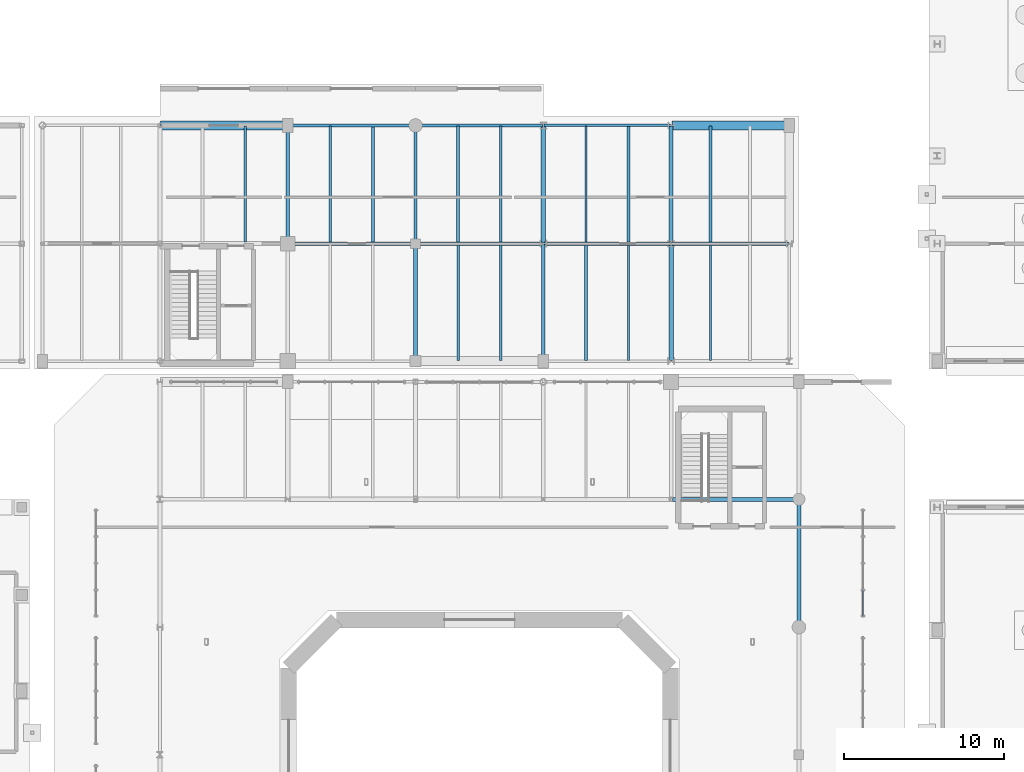
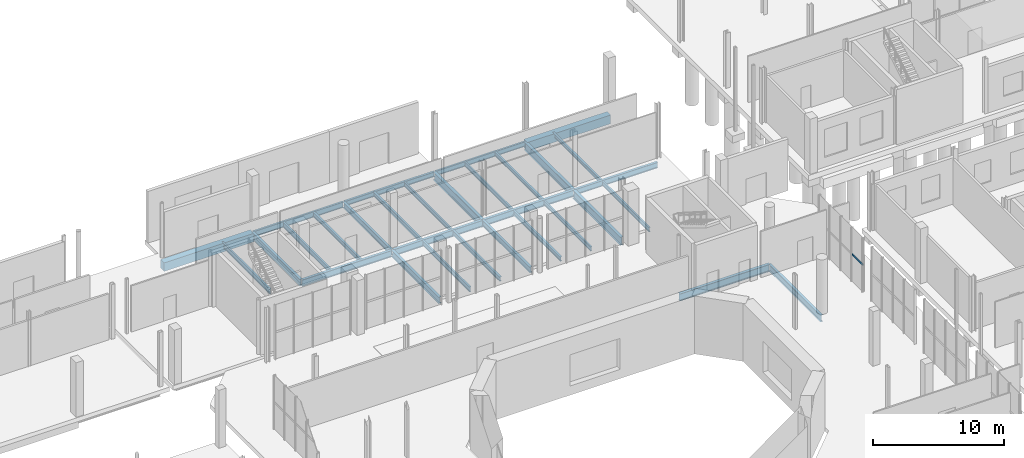
# One storey, part 48 of 87: 31 beams, 1 member, 1 element without a shape of its own.
"""IFC4 building model written with IfcOpenShell, lengths in metres."""

from ifc_helpers import new_model, si_unit, direction, frame, origin, origin_2d, place, context, subcontext, project, spatial, rectangle, i_section, extrude, material, material_profile, profile_set, type_object, element, aggregate, save


model = new_model("IFC4")

# Units and contexts
model_context = context("Model", 3, precision=1e-05, world=origin(), true_north=direction((0.0, 1.0)))
body_context = subcontext(model_context, "Body", "Model", "MODEL_VIEW")
ifc_project = project(units=[si_unit("LENGTHUNIT", "METRE"), si_unit("AREAUNIT", "SQUARE_METRE"), si_unit("VOLUMEUNIT", "CUBIC_METRE"), si_unit("PLANEANGLEUNIT", "RADIAN"), si_unit("MASSUNIT", "GRAM", prefix="KILO")], contexts=[model_context])

# Site, building, storey
site_placement = place(None, origin())
site = spatial("IfcSite", under=ifc_project, at=site_placement, CompositionType="ELEMENT")
building_placement = place(site_placement, origin())
building = spatial("IfcBuilding", under=site, at=building_placement, Name="Brisemont Oceanarium", CompositionType="ELEMENT")
storey_placement = place(building_placement, origin())
storey = spatial("IfcBuildingStorey", under=building, at=storey_placement, Name="L00", CompositionType="ELEMENT", Elevation=0.0)

# Beams
ifc_material_1 = material(Name="Concrete C40/50", Category="concrete")
ifc_material_profile_1 = material_profile(ifc_material_1, rectangle(XDim=0.550048828125, YDim=0.800048828125, at=origin_2d()), Name="RC-BM-550X800")
ifc_profile_set_1 = profile_set([ifc_material_profile_1], Name="Concrete C40/50")
beam_type_1 = type_object("IfcBeamType", Name="BM-RC550X800", PredefinedType="SPANDREL", material=ifc_profile_set_1)
beam_1_placement = place(storey_placement, frame((64.0400390625, 95.39990234375, -0.780029296875), z_axis=(1.0, 0.0, 0.0), x_axis=(0.0, 1.0, 0.0)))
element("IfcBeam", 1, at=beam_1_placement, inside=storey, type_object=beam_type_1, Name="V7E L00 EW girder", PredefinedType="SPANDREL", context=body_context, shape_type="SweptSolid", body=[
    extrude(rectangle(XDim=0.550048828125, YDim=0.800048828125, at=origin_2d()), origin(), (0.0, 0.0, 1.0), 7.919921875),
])
beam_2_placement = place(storey_placement, frame((96.0400390625, 95.39990234375, -0.780029296875), z_axis=(1.0, 0.0, 0.0), x_axis=(0.0, 1.0, 0.0)))
element("IfcBeam", 2, at=beam_2_placement, inside=storey, type_object=beam_type_1, Name="V7E L00 EW girder", PredefinedType="SPANDREL", context=body_context, shape_type="SweptSolid", body=[
    extrude(rectangle(XDim=0.550048828125, YDim=0.800048828125, at=origin_2d()), origin(), (0.0, 0.0, 1.0), 7.320068359375),
])
ifc_material_2 = material(Name="Structural Steel ASTM A992 Gr.50", Category="steel")
ifc_material_profile_2 = material_profile(ifc_material_2, i_section(OverallWidth=0.1708984375, OverallDepth=0.35107421875, WebThickness=0.0068359375, FlangeThickness=0.009765625, FilletRadius=0.010009765625, at=origin_2d()), Name="W14X30")
ifc_profile_set_2 = profile_set([ifc_material_profile_2], Name="Structural Steel ASTM A992 Gr.50")
beam_type_2 = type_object("IfcBeamType", Name="BM-W14X30", PredefinedType="JOIST", material=ifc_profile_set_2)
for number, where, z_axis, x_axis, name in (
    (3, (93.333251953125, 88.090087890625, -0.555419921875), (0.0, 1.0, 0.0), (-1.0, 0.0, 0.0), "V7E L00 secondary floor beam"),
    (4, (98.466796875, 88.090087890625, -0.555419921875), (0.0, 1.0, 0.0), (-1.0, 0.0, 0.0), "V7E L00 secondary floor beam"),
):
    element("IfcBeam", number, at=place(storey_placement, frame(where, z_axis=z_axis, x_axis=x_axis)), inside=storey, type_object=beam_type_2, Name=name, PredefinedType="JOIST", context=body_context, shape_type="SweptSolid", body=[
        extrude(i_section(OverallWidth=0.1708984375, OverallDepth=0.35107421875, WebThickness=0.0068359375, FlangeThickness=0.009765625, FilletRadius=0.010009765625, at=origin_2d()), origin(), (0.0, 0.0, 1.0), 7.27001953125),
    ])
ifc_material_3 = material(Name="Structural Steel ASTM A992 Gr.50", Category="steel")
ifc_material_profile_3 = material_profile(ifc_material_3, i_section(OverallWidth=0.139892578125, OverallDepth=0.39892578125, WebThickness=0.00634765625, FlangeThickness=0.0087890625, FilletRadius=0.010009765625, at=origin_2d()), Name="W16X26")
ifc_profile_set_3 = profile_set([ifc_material_profile_3], Name="Structural Steel ASTM A992 Gr.50")
beam_type_3 = type_object("IfcBeamType", Name="BM-W16X26", PredefinedType="JOIST", material=ifc_profile_set_3)
beam_3_placement = place(storey_placement, frame((85.333251953125, 88.090087890625, -0.57958984375), z_axis=(0.0, 1.0, 0.0), x_axis=(-1.0, 0.0, 0.0)))
element("IfcBeam", 5, at=beam_3_placement, inside=storey, type_object=beam_type_3, Name="V7E L00 secondary floor beam", PredefinedType="JOIST", context=body_context, shape_type="SweptSolid", body=[
    extrude(i_section(OverallWidth=0.139892578125, OverallDepth=0.39892578125, WebThickness=0.00634765625, FlangeThickness=0.0087890625, FilletRadius=0.010009765625, at=origin_2d()), origin(), (0.0, 0.0, 1.0), 7.27001953125),
])
beam_4_placement = place(storey_placement, frame((93.333251953125, 80.68994140625, -0.57958984375), z_axis=(0.0, 1.0, 0.0), x_axis=(-1.0, 0.0, 0.0)))
element("IfcBeam", 6, at=beam_4_placement, inside=storey, type_object=beam_type_3, Name="V7E L00 secondary floor beam", PredefinedType="JOIST", context=body_context, shape_type="SweptSolid", body=[
    extrude(i_section(OverallWidth=0.139892578125, OverallDepth=0.39892578125, WebThickness=0.00634765625, FlangeThickness=0.0087890625, FilletRadius=0.010009765625, at=origin_2d()), origin(), (0.0, 0.0, 1.0), 7.219970703125),
])
beam_5_placement = place(storey_placement, frame((90.666748046875, 88.090087890625, -0.57958984375), z_axis=(0.0, 1.0, 0.0), x_axis=(-1.0, 0.0, 0.0)))
element("IfcBeam", 7, at=beam_5_placement, inside=storey, type_object=beam_type_3, Name="V7E L00 secondary floor beam", PredefinedType="JOIST", context=body_context, shape_type="SweptSolid", body=[
    extrude(i_section(OverallWidth=0.139892578125, OverallDepth=0.39892578125, WebThickness=0.00634765625, FlangeThickness=0.0087890625, FilletRadius=0.010009765625, at=origin_2d()), origin(), (0.0, 0.0, 1.0), 7.27001953125),
])
beam_6_placement = place(storey_placement, frame((98.466796875, 80.68994140625, -0.57958984375), z_axis=(0.0, 1.0, 0.0), x_axis=(-1.0, 0.0, 0.0)))
element("IfcBeam", 8, at=beam_6_placement, inside=storey, type_object=beam_type_3, Name="V7E L00 secondary floor beam", PredefinedType="JOIST", context=body_context, shape_type="SweptSolid", body=[
    extrude(i_section(OverallWidth=0.139892578125, OverallDepth=0.39892578125, WebThickness=0.00634765625, FlangeThickness=0.0087890625, FilletRadius=0.010009765625, at=origin_2d()), origin(), (0.0, 0.0, 1.0), 7.219970703125),
])
ifc_material_4 = material(Name="Structural Steel ASTM A992 Gr.50", Category="steel")
ifc_material_profile_4 = material_profile(ifc_material_4, i_section(OverallWidth=0.177978515625, OverallDepth=0.404052734375, WebThickness=0.007568359375, FlangeThickness=0.010986328125, FilletRadius=0.010009765625, at=origin_2d()), Name="W16X36")
ifc_profile_set_4 = profile_set([ifc_material_profile_4], Name="Structural Steel ASTM A992 Gr.50")
beam_type_4 = type_object("IfcBeamType", Name="BM-W16X36", PredefinedType="JOIST", material=ifc_profile_set_4)
beam_7_placement = place(storey_placement, frame((77.333251953125, 88.090087890625, -0.58203125), z_axis=(0.0, 1.0, 0.0), x_axis=(-1.0, 0.0, 0.0)))
element("IfcBeam", 9, at=beam_7_placement, inside=storey, type_object=beam_type_4, Name="V7E L00 secondary floor beam", PredefinedType="JOIST", context=body_context, shape_type="SweptSolid", body=[
    extrude(i_section(OverallWidth=0.177978515625, OverallDepth=0.404052734375, WebThickness=0.007568359375, FlangeThickness=0.010986328125, FilletRadius=0.010009765625, at=origin_2d()), origin(), (0.0, 0.0, 1.0), 7.27001953125),
])
beam_8_placement = place(storey_placement, frame((85.333251953125, 80.68994140625, -0.58203125), z_axis=(0.0, 1.0, 0.0), x_axis=(-1.0, 0.0, 0.0)))
element("IfcBeam", 10, at=beam_8_placement, inside=storey, type_object=beam_type_4, Name="V7E L00 secondary floor beam", PredefinedType="JOIST", context=body_context, shape_type="SweptSolid", body=[
    extrude(i_section(OverallWidth=0.177978515625, OverallDepth=0.404052734375, WebThickness=0.007568359375, FlangeThickness=0.010986328125, FilletRadius=0.010009765625, at=origin_2d()), origin(), (0.0, 0.0, 1.0), 7.219970703125),
])
beam_9_placement = place(storey_placement, frame((82.666748046875, 88.090087890625, -0.58203125), z_axis=(0.0, 1.0, 0.0), x_axis=(-1.0, 0.0, 0.0)))
element("IfcBeam", 11, at=beam_9_placement, inside=storey, type_object=beam_type_4, Name="V7E L00 secondary floor beam", PredefinedType="JOIST", context=body_context, shape_type="SweptSolid", body=[
    extrude(i_section(OverallWidth=0.177978515625, OverallDepth=0.404052734375, WebThickness=0.007568359375, FlangeThickness=0.010986328125, FilletRadius=0.010009765625, at=origin_2d()), origin(), (0.0, 0.0, 1.0), 7.27001953125),
])
beam_10_placement = place(storey_placement, frame((90.666748046875, 80.68994140625, -0.58203125), z_axis=(0.0, 1.0, 0.0), x_axis=(-1.0, 0.0, 0.0)))
element("IfcBeam", 12, at=beam_10_placement, inside=storey, type_object=beam_type_4, Name="V7E L00 secondary floor beam", PredefinedType="JOIST", context=body_context, shape_type="SweptSolid", body=[
    extrude(i_section(OverallWidth=0.177978515625, OverallDepth=0.404052734375, WebThickness=0.007568359375, FlangeThickness=0.010986328125, FilletRadius=0.010009765625, at=origin_2d()), origin(), (0.0, 0.0, 1.0), 7.219970703125),
])
ifc_material_5 = material(Name="Structural Steel ASTM A992 Gr.50", Category="steel")
ifc_material_profile_5 = material_profile(ifc_material_5, i_section(OverallWidth=0.153076171875, OverallDepth=0.455078125, WebThickness=0.008056640625, FlangeThickness=0.01318359375, FilletRadius=0.010986328125, at=origin_2d()), Name="W18X40")
ifc_profile_set_5 = profile_set([ifc_material_profile_5], Name="Structural Steel ASTM A992 Gr.50")
beam_type_5 = type_object("IfcBeamType", Name="BM-W18X40", PredefinedType="JOIST", material=ifc_profile_set_5)
for number, where, z_axis, x_axis, name in (
    (13, (69.333251953125, 88.090087890625, -0.607421875), (0.0, 1.0, 0.0), (-1.0, 0.0, 0.0), "V7E L00 secondary floor beam"),
    (14, (74.666748046875, 88.090087890625, -0.607421875), (0.0, 1.0, 0.0), (-1.0, 0.0, 0.0), "V7E L00 secondary floor beam"),
):
    element("IfcBeam", number, at=place(storey_placement, frame(where, z_axis=z_axis, x_axis=x_axis)), inside=storey, type_object=beam_type_5, Name=name, PredefinedType="JOIST", context=body_context, shape_type="SweptSolid", body=[
        extrude(i_section(OverallWidth=0.153076171875, OverallDepth=0.455078125, WebThickness=0.008056640625, FlangeThickness=0.01318359375, FilletRadius=0.010986328125, at=origin_2d()), origin(), (0.0, 0.0, 1.0), 7.27001953125),
    ])
beam_11_placement = place(storey_placement, frame((82.666748046875, 80.68994140625, -0.607421875), z_axis=(0.0, 1.0, 0.0), x_axis=(-1.0, 0.0, 0.0)))
element("IfcBeam", 15, at=beam_11_placement, inside=storey, type_object=beam_type_5, Name="V7E L00 secondary floor beam", PredefinedType="JOIST", context=body_context, shape_type="SweptSolid", body=[
    extrude(i_section(OverallWidth=0.153076171875, OverallDepth=0.455078125, WebThickness=0.008056640625, FlangeThickness=0.01318359375, FilletRadius=0.010986328125, at=origin_2d()), origin(), (0.0, 0.0, 1.0), 7.219970703125),
])
ifc_material_6 = material(Name="Structural Steel ASTM A992 Gr.50", Category="steel")
ifc_material_profile_6 = material_profile(ifc_material_6, i_section(OverallWidth=0.154052734375, OverallDepth=0.458984375, WebThickness=0.009033203125, FlangeThickness=0.015380859375, FilletRadius=0.010986328125, at=origin_2d()), Name="W18X46")
ifc_profile_set_6 = profile_set([ifc_material_profile_6], Name="Structural Steel ASTM A992 Gr.50")
beam_type_6 = type_object("IfcBeamType", Name="BM-W18X46", PredefinedType="SPANDREL", material=ifc_profile_set_6)
beam_12_placement = place(storey_placement, frame((88.0400390625, 95.39990234375, -0.609619140625), z_axis=(1.0, 0.0, 0.0), x_axis=(0.0, 1.0, 0.0)))
element("IfcBeam", 16, at=beam_12_placement, inside=storey, type_object=beam_type_6, Name="V7E L00 EW girder", PredefinedType="SPANDREL", context=body_context, shape_type="SweptSolid", body=[
    extrude(i_section(OverallWidth=0.154052734375, OverallDepth=0.458984375, WebThickness=0.009033203125, FlangeThickness=0.015380859375, FilletRadius=0.010986328125, at=origin_2d()), origin(), (0.0, 0.0, 1.0), 7.919921875),
])
ifc_material_7 = material(Name="Structural Steel ASTM A992 Gr.50", Category="steel")
ifc_material_profile_7 = material_profile(ifc_material_7, i_section(OverallWidth=0.19091796875, OverallDepth=0.4599609375, WebThickness=0.010009765625, FlangeThickness=0.01611328125, FilletRadius=0.010986328125, at=origin_2d()), Name="W18X55")
ifc_profile_set_7 = profile_set([ifc_material_profile_7], Name="Structural Steel ASTM A992 Gr.50")
beam_type_7 = type_object("IfcBeamType", Name="BM-W18X55", PredefinedType="SPANDREL", material=ifc_profile_set_7)
beam_13_placement = place(storey_placement, frame((80.0400390625, 95.39990234375, -0.610107421875), z_axis=(1.0, 0.0, 0.0), x_axis=(0.0, 1.0, 0.0)))
element("IfcBeam", 17, at=beam_13_placement, inside=storey, type_object=beam_type_7, Name="V7E L00 EW girder", PredefinedType="SPANDREL", context=body_context, shape_type="SweptSolid", body=[
    extrude(i_section(OverallWidth=0.19091796875, OverallDepth=0.4599609375, WebThickness=0.010009765625, FlangeThickness=0.01611328125, FilletRadius=0.010986328125, at=origin_2d()), origin(), (0.0, 0.0, 1.0), 7.919921875),
])
ifc_material_8 = material(Name="Structural Steel ASTM A992 Gr.50", Category="steel")
ifc_material_profile_8 = material_profile(ifc_material_8, i_section(OverallWidth=0.166015625, OverallDepth=0.528076171875, WebThickness=0.009765625, FlangeThickness=0.013671875, FilletRadius=0.012939453125, at=origin_2d()), Name="W21X50")
ifc_profile_set_8 = profile_set([ifc_material_profile_8], Name="Structural Steel ASTM A992 Gr.50")
beam_type_8 = type_object("IfcBeamType", Name="BM-W21X50", PredefinedType="SPANDREL", material=ifc_profile_set_8)
beam_14_placement = place(storey_placement, frame((72.0400390625, 95.39990234375, -0.64404296875), z_axis=(1.0, 0.0, 0.0), x_axis=(0.0, 1.0, 0.0)))
element("IfcBeam", 18, at=beam_14_placement, inside=storey, type_object=beam_type_8, Name="V7E L00 EW girder", PredefinedType="SPANDREL", context=body_context, shape_type="SweptSolid", body=[
    extrude(i_section(OverallWidth=0.166015625, OverallDepth=0.528076171875, WebThickness=0.009765625, FlangeThickness=0.013671875, FilletRadius=0.012939453125, at=origin_2d()), origin(), (0.0, 0.0, 1.0), 7.919921875),
])
ifc_material_9 = material(Name="Structural Steel ASTM A992 Gr.50", Category="steel")
ifc_material_profile_9 = material_profile(ifc_material_9, i_section(OverallWidth=0.2099609375, OverallDepth=0.532958984375, WebThickness=0.01025390625, FlangeThickness=0.015625, FilletRadius=0.012939453125, at=origin_2d()), Name="W21X62")
ifc_profile_set_9 = profile_set([ifc_material_profile_9], Name="Structural Steel ASTM A992 Gr.50")
beam_type_9 = type_object("IfcBeamType", Name="BM-W21X62", PredefinedType="BEAM", material=ifc_profile_set_9)
for number, where, z_axis, x_axis, name in (
    (19, (96.0400390625, 88.0, -0.646484375), (1.0, 0.0, 0.0), (0.0, 1.0, 0.0), "V7E L00 EW girder"),
    (20, (80.0, 88.0400390625, -0.646484375), (0.0, 1.0, 0.0), (-1.0, 0.0, 0.0), "V7E L00 NS girder"),
):
    element("IfcBeam", number, at=place(storey_placement, frame(where, z_axis=z_axis, x_axis=x_axis)), inside=storey, type_object=beam_type_9, Name=name, PredefinedType="BEAM", context=body_context, shape_type="SweptSolid", body=[
        extrude(i_section(OverallWidth=0.2099609375, OverallDepth=0.532958984375, WebThickness=0.01025390625, FlangeThickness=0.015625, FilletRadius=0.012939453125, at=origin_2d()), origin(), (0.0, 0.0, 1.0), 7.320068359375),
    ])
beam_15_placement = place(storey_placement, frame((88.0, 80.68994140625, -0.646484375), z_axis=(0.0, 1.0, 0.0), x_axis=(-1.0, 0.0, 0.0)))
element("IfcBeam", 21, at=beam_15_placement, inside=storey, type_object=beam_type_9, Name="V7E L00 NS girder", PredefinedType="BEAM", context=body_context, shape_type="SweptSolid", body=[
    extrude(i_section(OverallWidth=0.2099609375, OverallDepth=0.532958984375, WebThickness=0.01025390625, FlangeThickness=0.015625, FilletRadius=0.012939453125, at=origin_2d()), origin(), (0.0, 0.0, 1.0), 7.27001953125),
])
ifc_material_10 = material(Name="Structural Steel ASTM A992 Gr.50", Category="steel")
ifc_material_profile_10 = material_profile(ifc_material_10, i_section(OverallWidth=0.22802734375, OverallDepth=0.60205078125, WebThickness=0.010498046875, FlangeThickness=0.014892578125, FilletRadius=0.012939453125, at=origin_2d()), Name="W24X68")
ifc_profile_set_10 = profile_set([ifc_material_profile_10], Name="Structural Steel ASTM A992 Gr.50")
beam_type_10 = type_object("IfcBeamType", Name="BM-W24X68", PredefinedType="BEAM", material=ifc_profile_set_10)
beam_16_placement = place(storey_placement, frame((88.0400390625, 88.0, -0.680908203125), z_axis=(1.0, 0.0, 0.0), x_axis=(0.0, 1.0, 0.0)))
element("IfcBeam", 22, at=beam_16_placement, inside=storey, type_object=beam_type_10, Name="V7E L00 EW girder", PredefinedType="BEAM", context=body_context, shape_type="SweptSolid", body=[
    extrude(i_section(OverallWidth=0.22802734375, OverallDepth=0.60205078125, WebThickness=0.010498046875, FlangeThickness=0.014892578125, FilletRadius=0.012939453125, at=origin_2d()), origin(), (0.0, 0.0, 1.0), 7.919921875),
])
beam_17_placement = place(storey_placement, frame((72.0, 88.0400390625, -0.680908203125), z_axis=(0.0, 1.0, 0.0), x_axis=(-1.0, 0.0, 0.0)))
element("IfcBeam", 23, at=beam_17_placement, inside=storey, type_object=beam_type_10, Name="V7E L00 NS girder", PredefinedType="BEAM", context=body_context, shape_type="SweptSolid", body=[
    extrude(i_section(OverallWidth=0.22802734375, OverallDepth=0.60205078125, WebThickness=0.010498046875, FlangeThickness=0.014892578125, FilletRadius=0.012939453125, at=origin_2d()), origin(), (0.0, 0.0, 1.0), 7.320068359375),
])
beam_18_placement = place(storey_placement, frame((80.0, 80.68994140625, -0.680908203125), z_axis=(0.0, 1.0, 0.0), x_axis=(-1.0, 0.0, 0.0)))
element("IfcBeam", 24, at=beam_18_placement, inside=storey, type_object=beam_type_10, Name="V7E L00 NS girder", PredefinedType="BEAM", context=body_context, shape_type="SweptSolid", body=[
    extrude(i_section(OverallWidth=0.22802734375, OverallDepth=0.60205078125, WebThickness=0.010498046875, FlangeThickness=0.014892578125, FilletRadius=0.012939453125, at=origin_2d()), origin(), (0.0, 0.0, 1.0), 7.27001953125),
])
ifc_material_11 = material(Name="Structural Steel ASTM A992 Gr.50", Category="steel")
ifc_material_profile_11 = material_profile(ifc_material_11, i_section(OverallWidth=0.22802734375, OverallDepth=0.60791015625, WebThickness=0.01123046875, FlangeThickness=0.017333984375, FilletRadius=0.012939453125, at=origin_2d()), Name="W24X76")
ifc_profile_set_11 = profile_set([ifc_material_profile_11], Name="Structural Steel ASTM A992 Gr.50")
beam_type_11 = type_object("IfcBeamType", Name="BM-W24X76", PredefinedType="BEAM", material=ifc_profile_set_11)
for number, where, z_axis, x_axis, name in (
    (25, (104.0, 64.0400390625, -0.68408203125), (0.0, 1.0, 0.0), (-1.0, 0.0, 0.0), "V1 L00 NS girder"),
    (26, (80.0400390625, 88.0, -0.68408203125), (1.0, 0.0, 0.0), (0.0, 1.0, 0.0), "V7E L00 EW girder"),
):
    element("IfcBeam", number, at=place(storey_placement, frame(where, z_axis=z_axis, x_axis=x_axis)), inside=storey, type_object=beam_type_11, Name=name, PredefinedType="BEAM", context=body_context, shape_type="SweptSolid", body=[
        extrude(i_section(OverallWidth=0.22802734375, OverallDepth=0.60791015625, WebThickness=0.01123046875, FlangeThickness=0.017333984375, FilletRadius=0.012939453125, at=origin_2d()), origin(), (0.0, 0.0, 1.0), 7.919921875),
    ])
ifc_material_12 = material(Name="Structural Steel ASTM A992 Gr.50", Category="steel")
ifc_material_profile_12 = material_profile(ifc_material_12, i_section(OverallWidth=0.22900390625, OverallDepth=0.612060546875, WebThickness=0.011962890625, FlangeThickness=0.01953125, FilletRadius=0.012939453125, at=origin_2d()), Name="W24X84")
ifc_profile_set_12 = profile_set([ifc_material_profile_12], Name="Structural Steel ASTM A992 Gr.50")
beam_type_12 = type_object("IfcBeamType", Name="BM-W24X84", PredefinedType="BEAM", material=ifc_profile_set_12)
beam_19_placement = place(storey_placement, frame((72.0400390625, 88.0, -0.68603515625), z_axis=(1.0, 0.0, 0.0), x_axis=(0.0, 1.0, 0.0)))
element("IfcBeam", 27, at=beam_19_placement, inside=storey, type_object=beam_type_12, Name="V7E L00 EW girder", PredefinedType="BEAM", context=body_context, shape_type="SweptSolid", body=[
    extrude(i_section(OverallWidth=0.22900390625, OverallDepth=0.612060546875, WebThickness=0.011962890625, FlangeThickness=0.01953125, FilletRadius=0.012939453125, at=origin_2d()), origin(), (0.0, 0.0, 1.0), 7.919921875),
])
ifc_material_13 = material(Name="Structural Steel ASTM A992 Gr.50", Category="steel")
ifc_material_profile_13 = material_profile(ifc_material_13, i_section(OverallWidth=0.2529296875, OverallDepth=0.677978515625, WebThickness=0.01171875, FlangeThickness=0.016357421875, FilletRadius=0.014892578125, at=origin_2d()), Name="W27X84")
ifc_profile_set_13 = profile_set([ifc_material_profile_13], Name="Structural Steel ASTM A992 Gr.50")
beam_type_13 = type_object("IfcBeamType", Name="BM-W27X84", PredefinedType="BEAM", material=ifc_profile_set_13)
beam_20_placement = place(storey_placement, frame((96.0400390625, 72.0, -0.718994140625), z_axis=(1.0, 0.0, 0.0), x_axis=(0.0, 1.0, 0.0)))
element("IfcBeam", 28, at=beam_20_placement, inside=storey, type_object=beam_type_13, Name="V1 L00 EW girder", PredefinedType="BEAM", context=body_context, shape_type="SweptSolid", body=[
    extrude(i_section(OverallWidth=0.2529296875, OverallDepth=0.677978515625, WebThickness=0.01171875, FlangeThickness=0.016357421875, FilletRadius=0.014892578125, at=origin_2d()), origin(), (0.0, 0.0, 1.0), 7.919921875),
])
ifc_material_14 = material(Name="Structural Steel ASTM A992 Gr.50", Category="steel")
ifc_material_profile_14 = material_profile(ifc_material_14, i_section(OverallWidth=0.26708984375, OverallDepth=0.761962890625, WebThickness=0.014404296875, FlangeThickness=0.021484375, FilletRadius=0.01611328125, at=origin_2d()), Name="W30X116")
ifc_profile_set_14 = profile_set([ifc_material_profile_14], Name="Structural Steel ASTM A992 Gr.50")
beam_type_14 = type_object("IfcBeamType", Name="BM-W30X116", PredefinedType="BEAM", material=ifc_profile_set_14)
beam_21_placement = place(storey_placement, frame((88.0, 88.0400390625, -0.760986328125), z_axis=(0.0, 1.0, 0.0), x_axis=(-1.0, 0.0, 0.0)))
element("IfcBeam", 29, at=beam_21_placement, inside=storey, type_object=beam_type_14, Name="V7E L00 NS girder", PredefinedType="BEAM", context=body_context, shape_type="SweptSolid", body=[
    extrude(i_section(OverallWidth=0.26708984375, OverallDepth=0.761962890625, WebThickness=0.014404296875, FlangeThickness=0.021484375, FilletRadius=0.01611328125, at=origin_2d()), origin(), (0.0, 0.0, 1.0), 7.320068359375),
])
beam_22_placement = place(storey_placement, frame((96.0, 80.68994140625, -0.760986328125), z_axis=(0.0, 1.0, 0.0), x_axis=(-1.0, 0.0, 0.0)))
element("IfcBeam", 30, at=beam_22_placement, inside=storey, type_object=beam_type_14, Name="V7E L00 NS girder", PredefinedType="BEAM", context=body_context, shape_type="SweptSolid", body=[
    extrude(i_section(OverallWidth=0.26708984375, OverallDepth=0.761962890625, WebThickness=0.014404296875, FlangeThickness=0.021484375, FilletRadius=0.01611328125, at=origin_2d()), origin(), (0.0, 0.0, 1.0), 7.27001953125),
])
ifc_material_15 = material(Name="Structural Steel ASTM A992 Gr.50", Category="steel")
ifc_material_profile_15 = material_profile(ifc_material_15, i_section(OverallWidth=0.264892578125, OverallDepth=0.7529296875, WebThickness=0.01318359375, FlangeThickness=0.01708984375, FilletRadius=0.01611328125, at=origin_2d()), Name="W30X99")
ifc_profile_set_15 = profile_set([ifc_material_profile_15], Name="Structural Steel ASTM A992 Gr.50")
beam_type_15 = type_object("IfcBeamType", Name="BM-W30X99", PredefinedType="BEAM", material=ifc_profile_set_15)
beam_23_placement = place(storey_placement, frame((96.0, 88.0400390625, -0.756591796875), z_axis=(0.0, 1.0, 0.0), x_axis=(-1.0, 0.0, 0.0)))
element("IfcBeam", 31, at=beam_23_placement, inside=storey, type_object=beam_type_15, Name="V7E L00 NS girder", PredefinedType="BEAM", context=body_context, shape_type="SweptSolid", body=[
    extrude(i_section(OverallWidth=0.264892578125, OverallDepth=0.7529296875, WebThickness=0.01318359375, FlangeThickness=0.01708984375, FilletRadius=0.01611328125, at=origin_2d()), origin(), (0.0, 0.0, 1.0), 7.320068359375),
])

# Curtain wall, member
ifc_material_16 = material(Name="Anodized Extruded Aluminum 6063-T6", Category="aluminium")
curtain_wall_type = type_object("IfcCurtainWallType", Name="CW-ROT-69X50", PredefinedType="NOTDEFINED", material=ifc_material_16)
curtain_wall_placement = place(storey_placement, origin())
curtain_wall = element("IfcCurtainWall", 32, at=curtain_wall_placement, inside=storey, type_object=curtain_wall_type, Name="CW-01 curtain wall CW-V1-E-L00-04", PredefinedType="NOTDEFINED")
ifc_material_17 = material(Name="Anodized Extruded Aluminum 6063-T6", Category="aluminium")
ifc_material_profile_16 = material_profile(ifc_material_17, rectangle(XDim=0.074951171875, YDim=0.1650390625, at=origin_2d()), Name="CWT-75X165")
ifc_profile_set_16 = profile_set([ifc_material_profile_16], Name="Anodized Extruded Aluminum 6063-T6")
member_type = type_object("IfcMemberType", Name="MEM-CWT-75", PredefinedType="USERDEFINED", material=ifc_profile_set_16)
member_placement = place(storey_placement, frame((108.0, 64.6650390625, 2.530029296875), z_axis=(0.0, 1.0, 0.0), x_axis=(-1.0, 0.0, 0.0)))
member = element("IfcMember", 33, at=member_placement, type_object=member_type, Name="CW-V1-E-L00-04 transom 1.1", ObjectType="TRANSOM", PredefinedType="USERDEFINED", context=body_context, shape_type="SweptSolid", body=[
    extrude(rectangle(XDim=0.074951171875, YDim=0.1650390625, at=origin_2d()), origin(), (0.0, 0.0, 1.0), 1.64501953125),
])
aggregate(curtain_wall, [member])

save(model, "model.ifc")
